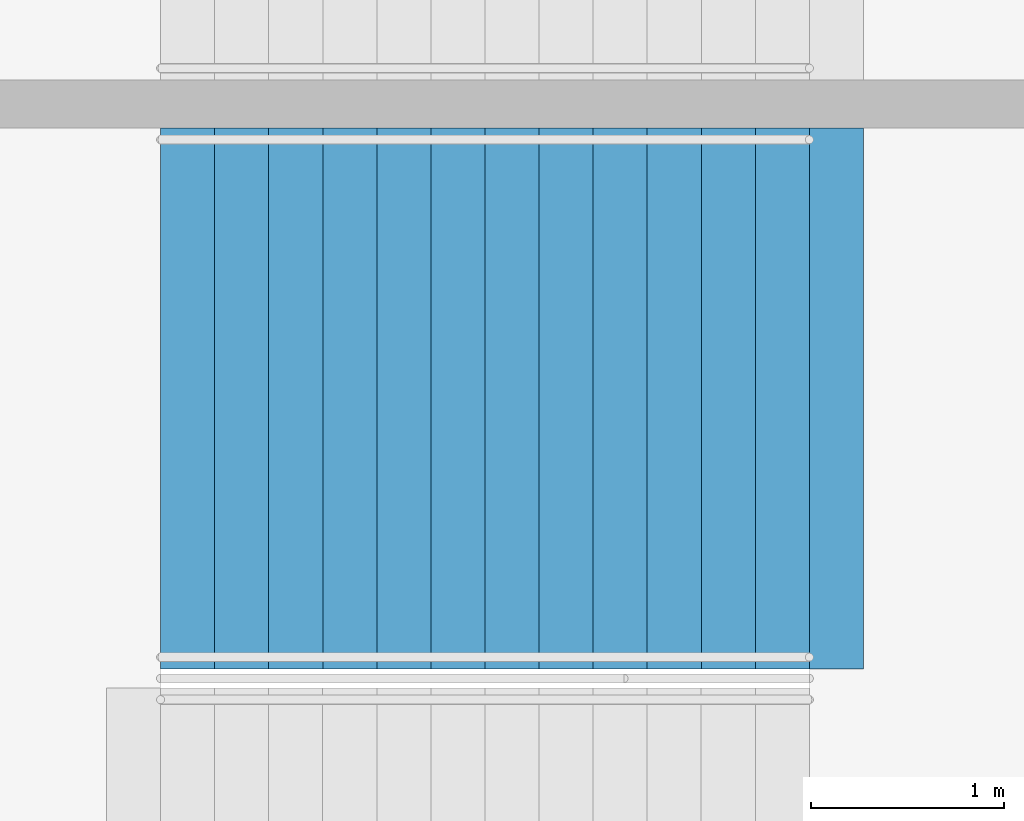
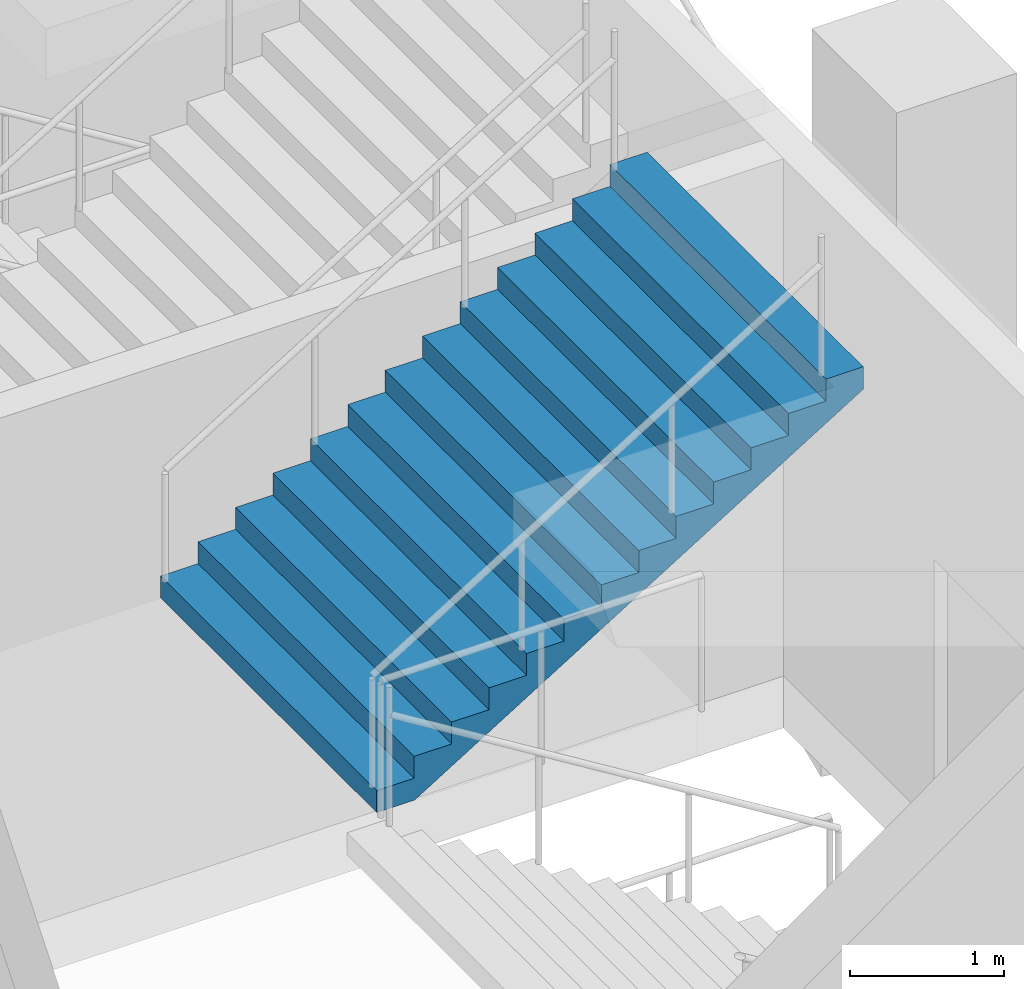
# One storey, part 133 of 177: 1 stair flight, 1 element without a shape of its own.
"""IFC4 building model written with IfcOpenShell, lengths in metres."""

import ifcopenshell
import ifcopenshell.guid

model = None  # the IFC model being written
_history = None  # IfcOwnerHistory: only IFC2X3 demands one
_inside = {}  # id of a spatial element -> (the spatial element, [elements in it])
_under = {}  # id of a project, library or spatial element -> (it, [spatial elements below it])
_declared = {}  # id of a project -> (the project, [libraries it declares])
_typed = {}  # id of a type object -> (the type object, [elements of that type])
_made_of = {}  # id of a material, layer set ... -> (it, [elements and type objects made of it])


def new_model(schema):
    """Start an empty IFC model of exactly this schema.

    Asked for "IFC4X3", IfcOpenShell would pick the latest addendum, in which some entities
    have other attributes; the version numbers below select the first issue.
    IFC2X3 requires an IfcOwnerHistory on every rooted entity: one is made here for all.
    """
    global model, _history
    if schema == "IFC4X3":
        model = ifcopenshell.file(schema_version=(4, 3, 0, 0))
    else:
        model = ifcopenshell.file(schema=schema)
    _inside.clear()
    _under.clear()
    _declared.clear()
    _typed.clear()
    _made_of.clear()
    _history = None
    if model.schema == "IFC2X3":
        org = make("IfcOrganization", Name="unknown")
        user = make(
            "IfcPersonAndOrganization",
            ThePerson=make("IfcPerson", FamilyName="unknown"),
            TheOrganization=org,
        )
        app = make(
            "IfcApplication",
            ApplicationDeveloper=org,
            Version="unknown",
            ApplicationFullName="unknown",
            ApplicationIdentifier="unknown",
        )
        _history = make(
            "IfcOwnerHistory",
            OwningUser=user,
            OwningApplication=app,
            ChangeAction="ADDED",
            CreationDate=0,
        )
    return model


def make(cls, **values):
    """One entity of the class cls with the attributes given. An attribute that is None is left unset."""
    return model.create_entity(
        cls, **{name: value for name, value in values.items() if value is not None}
    )


def rooted(cls, **values):
    """An entity with a GlobalId (a new one), such as an element, a storey or a relation."""
    return make(cls, GlobalId=ifcopenshell.guid.new(), OwnerHistory=_history, **values)


def si_unit(unit_type, name, prefix=None):
    """IfcSIUnit, for example si_unit("LENGTHUNIT", "METRE", prefix="MILLI")."""
    return make("IfcSIUnit", UnitType=unit_type, Prefix=prefix, Name=name)


def assignment(units):
    """IfcUnitAssignment: the units of a project."""
    return None if units is None else make("IfcUnitAssignment", Units=units)


def point(xyz):
    """IfcCartesianPoint."""
    return None if xyz is None else make("IfcCartesianPoint", Coordinates=xyz)


def direction(xyz):
    """IfcDirection."""
    return None if xyz is None else make("IfcDirection", DirectionRatios=xyz)


def frame(location, z_axis=None, x_axis=None):
    """IfcAxis2Placement3D, a coordinate frame: its origin and axes. An axis left out is left unset."""
    return make(
        "IfcAxis2Placement3D",
        Location=point(location),
        Axis=direction(z_axis),
        RefDirection=direction(x_axis),
    )


def origin():
    """The frame at (0, 0, 0) with its axes left unset."""
    return frame((0.0, 0.0, 0.0))


def place(relative_to, where):
    """IfcLocalPlacement: puts the frame where relative to a parent placement (None: the world)."""
    return make(
        "IfcLocalPlacement", PlacementRelTo=relative_to, RelativePlacement=where
    )


def context(
    kind, dimensions, precision=None, world=None, true_north=None, identifier=None
):
    """IfcGeometricRepresentationContext, for example the 3D "Model" context."""
    return make(
        "IfcGeometricRepresentationContext",
        ContextIdentifier=identifier,
        ContextType=kind,
        CoordinateSpaceDimension=dimensions,
        Precision=precision,
        WorldCoordinateSystem=world,
        TrueNorth=true_north,
    )


def subcontext(parent, identifier, kind, view, scale=None):
    """IfcGeometricRepresentationSubContext, for example "Body" below "Model"."""
    return make(
        "IfcGeometricRepresentationSubContext",
        ContextIdentifier=identifier,
        ContextType=kind,
        ParentContext=parent,
        TargetScale=scale,
        TargetView=view,
    )


def project(units=None, contexts=None):
    """IfcProject with its units and contexts."""
    return rooted(
        "IfcProject",
        Name="project",
        RepresentationContexts=contexts,
        UnitsInContext=assignment(units),
    )


def spatial(cls, under=None, at=None, **own):
    """A site, building, storey or space (cls), placed at a placement, below another one or the project."""
    s = rooted(cls, ObjectPlacement=at, **own)
    if under is not None:
        _under.setdefault(under.id(), (under, []))[1].append(s)
    return s


def faces_of(points, faces, orient=None, outer=None):
    """IfcFace entities. A face is a list of loops; a loop is a list of indices into points, from 0.

    orient and outer hold one flag for each loop. By default every Orientation is true, the
    first loop of a face is its IfcFaceOuterBound and the others are IfcFaceBound.
    """
    made = []
    for i, loops in enumerate(faces):
        bounds = []
        for j, loop in enumerate(loops):
            is_outer = j == 0 if outer is None else outer[i][j]
            bounds.append(
                make(
                    "IfcFaceOuterBound" if is_outer else "IfcFaceBound",
                    Bound=make("IfcPolyLoop", Polygon=[points[k] for k in loop]),
                    Orientation=True if orient is None else orient[i][j],
                )
            )
        made.append(make("IfcFace", Bounds=bounds))
    return made


def faceted_brep(points, faces, orient=None, outer=None, voids=None):
    """IfcFacetedBrep: a solid bounded by flat faces; with voids (closed shells), ...WithVoids."""
    shared = [point(p) for p in points]
    hull = make("IfcClosedShell", CfsFaces=faces_of(shared, faces, orient, outer))
    if voids is None:
        return make("IfcFacetedBrep", Outer=hull)
    return make(
        "IfcFacetedBrepWithVoids",
        Outer=hull,
        Voids=[
            make(cls, CfsFaces=faces_of(shared, fs, o, b)) for cls, fs, o, b in voids
        ],
    )


def shape(context_of_items, identifier, shape_type, items):
    """IfcShapeRepresentation: the items that make up one representation, for example the "Body"."""
    return make(
        "IfcShapeRepresentation",
        ContextOfItems=context_of_items,
        RepresentationIdentifier=identifier,
        RepresentationType=shape_type,
        Items=items,
    )


def material(Name=None, Category=None):
    """IfcMaterial."""
    return make("IfcMaterial", Name=Name, Category=Category)


def made_of(thing, what):
    """Note that an element or type object is made of a material, layer set ...; save() writes the relation."""
    if what is not None:
        _made_of.setdefault(what.id(), (what, []))[1].append(thing)
    return thing


def type_object(cls, material=None, **own):
    """A type object (cls), such as IfcWallType, which elements share."""
    return made_of(rooted(cls, **own), material)


def element(
    cls,
    number,
    at=None,
    inside=None,
    cuts=None,
    type_object=None,
    material=None,
    context=None,
    identifier="Body",
    shape_type=None,
    held_by="IfcProductDefinitionShape",
    body=None,
    shapes=None,
    **own,
):
    """One element of the class cls, such as IfcWall. Its Tag is "e" and its number.

    at: its placement. inside: the storey or other place that contains it. cuts: it is an
    opening in that element (IfcRelVoidsElement). A single representation is given by context,
    identifier, shape_type and body (its items); several are given by shapes. held_by: the class
    of the entity that holds the representations. save() writes the other relations.
    """
    e = rooted(cls, Tag="e%d" % number, ObjectPlacement=at, **own)
    if body is not None:
        shapes = [shape(context, identifier, shape_type, body)]
    if shapes is not None:
        e.Representation = make(held_by, Representations=shapes)
    if inside is not None:
        _inside.setdefault(inside.id(), (inside, []))[1].append(e)
    if cuts is not None:
        rooted(
            "IfcRelVoidsElement", RelatingBuildingElement=cuts, RelatedOpeningElement=e
        )
    if type_object is not None:
        _typed.setdefault(type_object.id(), (type_object, []))[1].append(e)
    return made_of(e, material)


def aggregate(whole, parts):
    """IfcRelAggregates: a whole, such as a stair, and the parts it consists of."""
    return rooted("IfcRelAggregates", RelatingObject=whole, RelatedObjects=parts)


def save(model, path):
    """Write the relations noted so far, then the file.

    IfcRelAggregates (storeys below a building ...), IfcRelContainedInSpatialStructure (elements
    in a storey), IfcRelDefinesByType, IfcRelAssociatesMaterial and IfcRelDeclares: one each for
    every whole, place, type object, material and project.
    """
    for whole, parts in _under.values():
        aggregate(whole, parts)
    for where, things in _inside.values():
        rooted(
            "IfcRelContainedInSpatialStructure",
            RelatedElements=things,
            RelatingStructure=where,
        )
    for kind, things in _typed.values():
        rooted("IfcRelDefinesByType", RelatedObjects=things, RelatingType=kind)
    for what, things in _made_of.values():
        rooted("IfcRelAssociatesMaterial", RelatedObjects=things, RelatingMaterial=what)
    for by, libraries in _declared.values():
        rooted("IfcRelDeclares", RelatingContext=by, RelatedDefinitions=libraries)
    model.write(path)


model = new_model("IFC4")

# Units and contexts
model_context = context("Model", 3, precision=1e-05, world=origin(), true_north=direction((0.0, 1.0)))
body_context = subcontext(model_context, "Body", "Model", "MODEL_VIEW")
ifc_project = project(units=[si_unit("LENGTHUNIT", "METRE"), si_unit("AREAUNIT", "SQUARE_METRE"), si_unit("VOLUMEUNIT", "CUBIC_METRE"), si_unit("PLANEANGLEUNIT", "RADIAN"), si_unit("MASSUNIT", "GRAM", prefix="KILO")], contexts=[model_context])

# Site, building, storey
site_placement = place(None, origin())
site = spatial("IfcSite", under=ifc_project, at=site_placement, CompositionType="ELEMENT")
building_placement = place(site_placement, origin())
building = spatial("IfcBuilding", under=site, at=building_placement, Name="Ogive Plaza Stadium", CompositionType="ELEMENT")
storey_placement = place(building_placement, frame((0.0, 0.0, 18.0)))
storey = spatial("IfcBuildingStorey", under=building, at=storey_placement, Name="L04", CompositionType="ELEMENT", Elevation=18.0)

# Stair, stair flight
ifc_material_1 = material(Name="Concrete C40/50", Category="concrete")
stair_type = type_object("IfcStairType", Name="Exit stair", PredefinedType="STRAIGHT_RUN_STAIR", material=ifc_material_1)
stair_placement = place(storey_placement, origin())
stair = element("IfcStair", 1, at=stair_placement, inside=storey, type_object=stair_type, Name="Exit stair ST28B L04 to L05", PredefinedType="STRAIGHT_RUN_STAIR")
ifc_material_2 = material(Name="Concrete C40/50", Category="concrete")
stair_flight_type = type_object("IfcStairFlightType", Name="Exit stair flight", PredefinedType="STRAIGHT", material=ifc_material_2)
stair_flight_placement = place(storey_placement, frame((-79.7099609375, 50.97509765625, 2.25), z_axis=(0.0, 0.0, 1.0), x_axis=(1.0, 0.0, 0.0)))
stair_flight = element("IfcStairFlight", 2, at=stair_flight_placement, type_object=stair_flight_type, Name="ST28B flight 2", NumberOfRisers=13, NumberOfTreads=12, PredefinedType="STRAIGHT", RiserHeight=0.173076923, TreadLength=0.28, context=body_context, shape_type="Brep", body=[
    faceted_brep([(0.28515625, -1.39990234375, 0.0), (3.639892578125, -1.39990234375, 2.07373046875), (3.639892578125, -1.39990234375, 2.25), (3.360107421875, -1.39990234375, 2.25), (3.360107421875, -1.39990234375, 2.076904296875), (3.080078125, -1.39990234375, 2.076904296875), (3.080078125, -1.39990234375, 1.90380859375), (2.800048828125, -1.39990234375, 1.90380859375), (2.800048828125, -1.39990234375, 1.730712890625), (2.52001953125, -1.39990234375, 1.730712890625), (2.52001953125, -1.39990234375, 1.5576171875), (2.239990234375, -1.39990234375, 1.5576171875), (2.239990234375, -1.39990234375, 1.384521484375), (1.9599609375, -1.39990234375, 1.384521484375), (1.9599609375, -1.39990234375, 1.21142578125), (1.679931640625, -1.39990234375, 1.21142578125), (1.679931640625, -1.39990234375, 1.03857421875), (1.39990234375, -1.39990234375, 1.03857421875), (1.39990234375, -1.39990234375, 0.865478515625), (1.1201171875, -1.39990234375, 0.865478515625), (1.1201171875, -1.39990234375, 0.6923828125), (0.840087890625, -1.39990234375, 0.6923828125), (0.840087890625, -1.39990234375, 0.519287109375), (0.56005859375, -1.39990234375, 0.519287109375), (0.56005859375, -1.39990234375, 0.34619140625), (0.280029296875, -1.39990234375, 0.34619140625), (0.280029296875, -1.39990234375, 0.173095703125), (0.0, -1.39990234375, 0.173095703125), (0.0, -1.39990234375, 0.0), (0.0, 1.39990234375, 0.0), (0.0, 1.39990234375, 0.173095703125), (0.280029296875, 1.39990234375, 0.173095703125), (0.280029296875, 1.39990234375, 0.34619140625), (0.56005859375, 1.39990234375, 0.34619140625), (0.56005859375, 1.39990234375, 0.519287109375), (0.840087890625, 1.39990234375, 0.519287109375), (0.840087890625, 1.39990234375, 0.6923828125), (1.1201171875, 1.39990234375, 0.6923828125), (1.1201171875, 1.39990234375, 0.865478515625), (1.39990234375, 1.39990234375, 0.865478515625), (1.39990234375, 1.39990234375, 1.03857421875), (1.679931640625, 1.39990234375, 1.03857421875), (1.679931640625, 1.39990234375, 1.21142578125), (1.9599609375, 1.39990234375, 1.21142578125), (1.9599609375, 1.39990234375, 1.384521484375), (2.239990234375, 1.39990234375, 1.384521484375), (2.239990234375, 1.39990234375, 1.5576171875), (2.52001953125, 1.39990234375, 1.5576171875), (2.52001953125, 1.39990234375, 1.730712890625), (2.800048828125, 1.39990234375, 1.730712890625), (2.800048828125, 1.39990234375, 1.90380859375), (3.080078125, 1.39990234375, 1.90380859375), (3.080078125, 1.39990234375, 2.076904296875), (3.360107421875, 1.39990234375, 2.076904296875), (3.360107421875, 1.39990234375, 2.25), (3.639892578125, 1.39990234375, 2.25), (3.639892578125, 1.39990234375, 2.07373046875), (0.28515625, 1.39990234375, 0.0), (0.28515625, -1.0888671875, 0.0), (3.639892578125, -1.0888671875, 2.07373046875), (0.28515625, -0.77783203125, 0.0), (3.639892578125, -0.77783203125, 2.07373046875), (0.28515625, -0.466796875, 0.0), (3.639892578125, -0.466796875, 2.07373046875), (0.28515625, -0.155517578125, 0.0), (3.639892578125, -0.155517578125, 2.07373046875), (0.28515625, 0.155517578125, 0.0), (3.639892578125, 0.155517578125, 2.07373046875), (0.28515625, 0.466796875, 0.0), (3.639892578125, 0.466796875, 2.07373046875), (0.28515625, 0.77783203125, 0.0), (3.639892578125, 0.77783203125, 2.07373046875), (0.28515625, 1.0888671875, 0.0), (3.639892578125, 1.0888671875, 2.07373046875), (3.639892578125, -1.0888671875, 2.25), (3.639892578125, -0.77783203125, 2.25), (3.639892578125, -0.466796875, 2.25), (3.639892578125, -0.155517578125, 2.25), (3.639892578125, 0.155517578125, 2.25), (3.639892578125, 0.466796875, 2.25), (3.639892578125, 0.77783203125, 2.25), (3.639892578125, 1.0888671875, 2.25), (3.360107421875, -1.0888671875, 2.25), (3.360107421875, -0.77783203125, 2.25), (3.360107421875, -0.466796875, 2.25), (3.360107421875, -0.155517578125, 2.25), (3.360107421875, 0.155517578125, 2.25), (3.360107421875, 0.466796875, 2.25), (3.360107421875, 0.77783203125, 2.25), (3.360107421875, 1.0888671875, 2.25), (3.360107421875, -1.0888671875, 2.076904296875), (3.360107421875, -0.77783203125, 2.076904296875), (3.360107421875, -0.466796875, 2.076904296875), (3.360107421875, -0.155517578125, 2.076904296875), (3.360107421875, 0.155517578125, 2.076904296875), (3.360107421875, 0.466796875, 2.076904296875), (3.360107421875, 0.77783203125, 2.076904296875), (3.360107421875, 1.0888671875, 2.076904296875), (3.080078125, -1.0888671875, 2.076904296875), (3.080078125, -0.77783203125, 2.076904296875), (3.080078125, -0.466796875, 2.076904296875), (3.080078125, -0.155517578125, 2.076904296875), (3.080078125, 0.155517578125, 2.076904296875), (3.080078125, 0.466796875, 2.076904296875), (3.080078125, 0.77783203125, 2.076904296875), (3.080078125, 1.0888671875, 2.076904296875), (3.080078125, -1.0888671875, 1.90380859375), (3.080078125, -0.77783203125, 1.90380859375), (3.080078125, -0.466796875, 1.90380859375), (3.080078125, -0.155517578125, 1.90380859375), (3.080078125, 0.155517578125, 1.90380859375), (3.080078125, 0.466796875, 1.90380859375), (3.080078125, 0.77783203125, 1.90380859375), (3.080078125, 1.0888671875, 1.90380859375), (2.800048828125, -1.0888671875, 1.90380859375), (2.800048828125, -0.77783203125, 1.90380859375), (2.800048828125, -0.466796875, 1.90380859375), (2.800048828125, -0.155517578125, 1.90380859375), (2.800048828125, 0.155517578125, 1.90380859375), (2.800048828125, 0.466796875, 1.90380859375), (2.800048828125, 0.77783203125, 1.90380859375), (2.800048828125, 1.0888671875, 1.90380859375), (2.800048828125, -1.0888671875, 1.730712890625), (2.800048828125, -0.77783203125, 1.730712890625), (2.800048828125, -0.466796875, 1.730712890625), (2.800048828125, -0.155517578125, 1.730712890625), (2.800048828125, 0.155517578125, 1.730712890625), (2.800048828125, 0.466796875, 1.730712890625), (2.800048828125, 0.77783203125, 1.730712890625), (2.800048828125, 1.0888671875, 1.730712890625), (2.52001953125, -1.0888671875, 1.730712890625), (2.52001953125, -0.77783203125, 1.730712890625), (2.52001953125, -0.466796875, 1.730712890625), (2.52001953125, -0.155517578125, 1.730712890625), (2.52001953125, 0.155517578125, 1.730712890625), (2.52001953125, 0.466796875, 1.730712890625), (2.52001953125, 0.77783203125, 1.730712890625), (2.52001953125, 1.0888671875, 1.730712890625), (2.52001953125, -1.0888671875, 1.5576171875), (2.52001953125, -0.77783203125, 1.5576171875), (2.52001953125, -0.466796875, 1.5576171875), (2.52001953125, -0.155517578125, 1.5576171875), (2.52001953125, 0.155517578125, 1.5576171875), (2.52001953125, 0.466796875, 1.5576171875), (2.52001953125, 0.77783203125, 1.5576171875), (2.52001953125, 1.0888671875, 1.5576171875), (2.239990234375, -1.0888671875, 1.5576171875), (2.239990234375, -0.77783203125, 1.5576171875), (2.239990234375, -0.466796875, 1.5576171875), (2.239990234375, -0.155517578125, 1.5576171875), (2.239990234375, 0.155517578125, 1.5576171875), (2.239990234375, 0.466796875, 1.5576171875), (2.239990234375, 0.77783203125, 1.5576171875), (2.239990234375, 1.0888671875, 1.5576171875), (2.239990234375, -1.0888671875, 1.384521484375), (2.239990234375, -0.77783203125, 1.384521484375), (2.239990234375, -0.466796875, 1.384521484375), (2.239990234375, -0.155517578125, 1.384521484375), (2.239990234375, 0.155517578125, 1.384521484375), (2.239990234375, 0.466796875, 1.384521484375), (2.239990234375, 0.77783203125, 1.384521484375), (2.239990234375, 1.0888671875, 1.384521484375), (1.9599609375, -1.0888671875, 1.384521484375), (1.9599609375, -0.77783203125, 1.384521484375), (1.9599609375, -0.466796875, 1.384521484375), (1.9599609375, -0.155517578125, 1.384521484375), (1.9599609375, 0.155517578125, 1.384521484375), (1.9599609375, 0.466796875, 1.384521484375), (1.9599609375, 0.77783203125, 1.384521484375), (1.9599609375, 1.0888671875, 1.384521484375), (1.9599609375, -1.0888671875, 1.21142578125), (1.9599609375, -0.77783203125, 1.21142578125), (1.9599609375, -0.466796875, 1.21142578125), (1.9599609375, -0.155517578125, 1.21142578125), (1.9599609375, 0.155517578125, 1.21142578125), (1.9599609375, 0.466796875, 1.21142578125), (1.9599609375, 0.77783203125, 1.21142578125), (1.9599609375, 1.0888671875, 1.21142578125), (1.679931640625, -1.0888671875, 1.21142578125), (1.679931640625, -0.77783203125, 1.21142578125), (1.679931640625, -0.466796875, 1.21142578125), (1.679931640625, -0.155517578125, 1.21142578125), (1.679931640625, 0.155517578125, 1.21142578125), (1.679931640625, 0.466796875, 1.21142578125), (1.679931640625, 0.77783203125, 1.21142578125), (1.679931640625, 1.0888671875, 1.21142578125), (1.679931640625, -1.0888671875, 1.03857421875), (1.679931640625, -0.77783203125, 1.03857421875), (1.679931640625, -0.466796875, 1.03857421875), (1.679931640625, -0.155517578125, 1.03857421875), (1.679931640625, 0.155517578125, 1.03857421875), (1.679931640625, 0.466796875, 1.03857421875), (1.679931640625, 0.77783203125, 1.03857421875), (1.679931640625, 1.0888671875, 1.03857421875), (1.39990234375, -1.0888671875, 1.03857421875), (1.39990234375, -0.77783203125, 1.03857421875), (1.39990234375, -0.466796875, 1.03857421875), (1.39990234375, -0.155517578125, 1.03857421875), (1.39990234375, 0.155517578125, 1.03857421875), (1.39990234375, 0.466796875, 1.03857421875), (1.39990234375, 0.77783203125, 1.03857421875), (1.39990234375, 1.0888671875, 1.03857421875), (1.39990234375, -1.0888671875, 0.865478515625), (1.39990234375, -0.77783203125, 0.865478515625), (1.39990234375, -0.466796875, 0.865478515625), (1.39990234375, -0.155517578125, 0.865478515625), (1.39990234375, 0.155517578125, 0.865478515625), (1.39990234375, 0.466796875, 0.865478515625), (1.39990234375, 0.77783203125, 0.865478515625), (1.39990234375, 1.0888671875, 0.865478515625), (1.1201171875, -1.0888671875, 0.865478515625), (1.1201171875, -0.77783203125, 0.865478515625), (1.1201171875, -0.466796875, 0.865478515625), (1.1201171875, -0.155517578125, 0.865478515625), (1.1201171875, 0.155517578125, 0.865478515625), (1.1201171875, 0.466796875, 0.865478515625), (1.1201171875, 0.77783203125, 0.865478515625), (1.1201171875, 1.0888671875, 0.865478515625), (1.1201171875, -1.0888671875, 0.6923828125), (1.1201171875, -0.77783203125, 0.6923828125), (1.1201171875, -0.466796875, 0.6923828125), (1.1201171875, -0.155517578125, 0.6923828125), (1.1201171875, 0.155517578125, 0.6923828125), (1.1201171875, 0.466796875, 0.6923828125), (1.1201171875, 0.77783203125, 0.6923828125), (1.1201171875, 1.0888671875, 0.6923828125), (0.840087890625, -1.0888671875, 0.6923828125), (0.840087890625, -0.77783203125, 0.6923828125), (0.840087890625, -0.466796875, 0.6923828125), (0.840087890625, -0.155517578125, 0.6923828125), (0.840087890625, 0.155517578125, 0.6923828125), (0.840087890625, 0.466796875, 0.6923828125), (0.840087890625, 0.77783203125, 0.6923828125), (0.840087890625, 1.0888671875, 0.6923828125), (0.840087890625, -1.0888671875, 0.519287109375), (0.840087890625, -0.77783203125, 0.519287109375), (0.840087890625, -0.466796875, 0.519287109375), (0.840087890625, -0.155517578125, 0.519287109375), (0.840087890625, 0.155517578125, 0.519287109375), (0.840087890625, 0.466796875, 0.519287109375), (0.840087890625, 0.77783203125, 0.519287109375), (0.840087890625, 1.0888671875, 0.519287109375), (0.56005859375, -1.0888671875, 0.519287109375), (0.56005859375, -0.77783203125, 0.519287109375), (0.56005859375, -0.466796875, 0.519287109375), (0.56005859375, -0.155517578125, 0.519287109375), (0.56005859375, 0.155517578125, 0.519287109375), (0.56005859375, 0.466796875, 0.519287109375), (0.56005859375, 0.77783203125, 0.519287109375), (0.56005859375, 1.0888671875, 0.519287109375), (0.56005859375, -1.0888671875, 0.34619140625), (0.56005859375, -0.77783203125, 0.34619140625), (0.56005859375, -0.466796875, 0.34619140625), (0.56005859375, -0.155517578125, 0.34619140625), (0.56005859375, 0.155517578125, 0.34619140625), (0.56005859375, 0.466796875, 0.34619140625), (0.56005859375, 0.77783203125, 0.34619140625), (0.56005859375, 1.0888671875, 0.34619140625), (0.280029296875, -1.0888671875, 0.34619140625), (0.280029296875, -0.77783203125, 0.34619140625), (0.280029296875, -0.466796875, 0.34619140625), (0.280029296875, -0.155517578125, 0.34619140625), (0.280029296875, 0.155517578125, 0.34619140625), (0.280029296875, 0.466796875, 0.34619140625), (0.280029296875, 0.77783203125, 0.34619140625), (0.280029296875, 1.0888671875, 0.34619140625), (0.280029296875, -1.0888671875, 0.173095703125), (0.280029296875, -0.77783203125, 0.173095703125), (0.280029296875, -0.466796875, 0.173095703125), (0.280029296875, -0.155517578125, 0.173095703125), (0.280029296875, 0.155517578125, 0.173095703125), (0.280029296875, 0.466796875, 0.173095703125), (0.280029296875, 0.77783203125, 0.173095703125), (0.280029296875, 1.0888671875, 0.173095703125), (0.0, -1.0888671875, 0.173095703125), (0.0, -0.77783203125, 0.173095703125), (0.0, -0.466796875, 0.173095703125), (0.0, -0.155517578125, 0.173095703125), (0.0, 0.155517578125, 0.173095703125), (0.0, 0.466796875, 0.173095703125), (0.0, 0.77783203125, 0.173095703125), (0.0, 1.0888671875, 0.173095703125), (0.0, -1.0888671875, 0.0), (0.0, -0.77783203125, 0.0), (0.0, -0.466796875, 0.0), (0.0, -0.155517578125, 0.0), (0.0, 0.155517578125, 0.0), (0.0, 0.466796875, 0.0), (0.0, 0.77783203125, 0.0), (0.0, 1.0888671875, 0.0)], [[[0, 1, 2, 3, 4, 5, 6, 7, 8, 9, 10, 11, 12, 13, 14, 15, 16, 17, 18, 19, 20, 21, 22, 23, 24, 25, 26, 27, 28]], [[29, 30, 31, 32, 33, 34, 35, 36, 37, 38, 39, 40, 41, 42, 43, 44, 45, 46, 47, 48, 49, 50, 51, 52, 53, 54, 55, 56, 57]], [[0, 58, 59, 1]], [[58, 60, 61, 59]], [[60, 62, 63, 61]], [[62, 64, 65, 63]], [[64, 66, 67, 65]], [[66, 68, 69, 67]], [[68, 70, 71, 69]], [[70, 72, 73, 71]], [[72, 57, 56, 73]], [[1, 59, 74, 2]], [[59, 61, 75, 74]], [[61, 63, 76, 75]], [[63, 65, 77, 76]], [[65, 67, 78, 77]], [[67, 69, 79, 78]], [[69, 71, 80, 79]], [[71, 73, 81, 80]], [[73, 56, 55, 81]], [[2, 74, 82, 3]], [[74, 75, 83, 82]], [[75, 76, 84, 83]], [[76, 77, 85, 84]], [[77, 78, 86, 85]], [[78, 79, 87, 86]], [[79, 80, 88, 87]], [[80, 81, 89, 88]], [[81, 55, 54, 89]], [[3, 82, 90, 4]], [[82, 83, 91, 90]], [[83, 84, 92, 91]], [[84, 85, 93, 92]], [[85, 86, 94, 93]], [[86, 87, 95, 94]], [[87, 88, 96, 95]], [[88, 89, 97, 96]], [[89, 54, 53, 97]], [[4, 90, 98, 5]], [[90, 91, 99, 98]], [[91, 92, 100, 99]], [[92, 93, 101, 100]], [[93, 94, 102, 101]], [[94, 95, 103, 102]], [[95, 96, 104, 103]], [[96, 97, 105, 104]], [[97, 53, 52, 105]], [[5, 98, 106, 6]], [[98, 99, 107, 106]], [[99, 100, 108, 107]], [[100, 101, 109, 108]], [[101, 102, 110, 109]], [[102, 103, 111, 110]], [[103, 104, 112, 111]], [[104, 105, 113, 112]], [[105, 52, 51, 113]], [[6, 106, 114, 7]], [[106, 107, 115, 114]], [[107, 108, 116, 115]], [[108, 109, 117, 116]], [[109, 110, 118, 117]], [[110, 111, 119, 118]], [[111, 112, 120, 119]], [[112, 113, 121, 120]], [[113, 51, 50, 121]], [[7, 114, 122, 8]], [[114, 115, 123, 122]], [[115, 116, 124, 123]], [[116, 117, 125, 124]], [[117, 118, 126, 125]], [[118, 119, 127, 126]], [[119, 120, 128, 127]], [[120, 121, 129, 128]], [[121, 50, 49, 129]], [[8, 122, 130, 9]], [[122, 123, 131, 130]], [[123, 124, 132, 131]], [[124, 125, 133, 132]], [[125, 126, 134, 133]], [[126, 127, 135, 134]], [[127, 128, 136, 135]], [[128, 129, 137, 136]], [[129, 49, 48, 137]], [[9, 130, 138, 10]], [[130, 131, 139, 138]], [[131, 132, 140, 139]], [[132, 133, 141, 140]], [[133, 134, 142, 141]], [[134, 135, 143, 142]], [[135, 136, 144, 143]], [[136, 137, 145, 144]], [[137, 48, 47, 145]], [[10, 138, 146, 11]], [[138, 139, 147, 146]], [[139, 140, 148, 147]], [[140, 141, 149, 148]], [[141, 142, 150, 149]], [[142, 143, 151, 150]], [[143, 144, 152, 151]], [[144, 145, 153, 152]], [[145, 47, 46, 153]], [[11, 146, 154, 12]], [[146, 147, 155, 154]], [[147, 148, 156, 155]], [[148, 149, 157, 156]], [[149, 150, 158, 157]], [[150, 151, 159, 158]], [[151, 152, 160, 159]], [[152, 153, 161, 160]], [[153, 46, 45, 161]], [[12, 154, 162, 13]], [[154, 155, 163, 162]], [[155, 156, 164, 163]], [[156, 157, 165, 164]], [[157, 158, 166, 165]], [[158, 159, 167, 166]], [[159, 160, 168, 167]], [[160, 161, 169, 168]], [[161, 45, 44, 169]], [[13, 162, 170, 14]], [[162, 163, 171, 170]], [[163, 164, 172, 171]], [[164, 165, 173, 172]], [[165, 166, 174, 173]], [[166, 167, 175, 174]], [[167, 168, 176, 175]], [[168, 169, 177, 176]], [[169, 44, 43, 177]], [[14, 170, 178, 15]], [[170, 171, 179, 178]], [[171, 172, 180, 179]], [[172, 173, 181, 180]], [[173, 174, 182, 181]], [[174, 175, 183, 182]], [[175, 176, 184, 183]], [[176, 177, 185, 184]], [[177, 43, 42, 185]], [[15, 178, 186, 16]], [[178, 179, 187, 186]], [[179, 180, 188, 187]], [[180, 181, 189, 188]], [[181, 182, 190, 189]], [[182, 183, 191, 190]], [[183, 184, 192, 191]], [[184, 185, 193, 192]], [[185, 42, 41, 193]], [[16, 186, 194, 17]], [[186, 187, 195, 194]], [[187, 188, 196, 195]], [[188, 189, 197, 196]], [[189, 190, 198, 197]], [[190, 191, 199, 198]], [[191, 192, 200, 199]], [[192, 193, 201, 200]], [[193, 41, 40, 201]], [[17, 194, 202, 18]], [[194, 195, 203, 202]], [[195, 196, 204, 203]], [[196, 197, 205, 204]], [[197, 198, 206, 205]], [[198, 199, 207, 206]], [[199, 200, 208, 207]], [[200, 201, 209, 208]], [[201, 40, 39, 209]], [[18, 202, 210, 19]], [[202, 203, 211, 210]], [[203, 204, 212, 211]], [[204, 205, 213, 212]], [[205, 206, 214, 213]], [[206, 207, 215, 214]], [[207, 208, 216, 215]], [[208, 209, 217, 216]], [[209, 39, 38, 217]], [[19, 210, 218, 20]], [[210, 211, 219, 218]], [[211, 212, 220, 219]], [[212, 213, 221, 220]], [[213, 214, 222, 221]], [[214, 215, 223, 222]], [[215, 216, 224, 223]], [[216, 217, 225, 224]], [[217, 38, 37, 225]], [[20, 218, 226, 21]], [[218, 219, 227, 226]], [[219, 220, 228, 227]], [[220, 221, 229, 228]], [[221, 222, 230, 229]], [[222, 223, 231, 230]], [[223, 224, 232, 231]], [[224, 225, 233, 232]], [[225, 37, 36, 233]], [[21, 226, 234, 22]], [[226, 227, 235, 234]], [[227, 228, 236, 235]], [[228, 229, 237, 236]], [[229, 230, 238, 237]], [[230, 231, 239, 238]], [[231, 232, 240, 239]], [[232, 233, 241, 240]], [[233, 36, 35, 241]], [[22, 234, 242, 23]], [[234, 235, 243, 242]], [[235, 236, 244, 243]], [[236, 237, 245, 244]], [[237, 238, 246, 245]], [[238, 239, 247, 246]], [[239, 240, 248, 247]], [[240, 241, 249, 248]], [[241, 35, 34, 249]], [[23, 242, 250, 24]], [[242, 243, 251, 250]], [[243, 244, 252, 251]], [[244, 245, 253, 252]], [[245, 246, 254, 253]], [[246, 247, 255, 254]], [[247, 248, 256, 255]], [[248, 249, 257, 256]], [[249, 34, 33, 257]], [[24, 250, 258, 25]], [[250, 251, 259, 258]], [[251, 252, 260, 259]], [[252, 253, 261, 260]], [[253, 254, 262, 261]], [[254, 255, 263, 262]], [[255, 256, 264, 263]], [[256, 257, 265, 264]], [[257, 33, 32, 265]], [[25, 258, 266, 26]], [[258, 259, 267, 266]], [[259, 260, 268, 267]], [[260, 261, 269, 268]], [[261, 262, 270, 269]], [[262, 263, 271, 270]], [[263, 264, 272, 271]], [[264, 265, 273, 272]], [[265, 32, 31, 273]], [[26, 266, 274, 27]], [[266, 267, 275, 274]], [[267, 268, 276, 275]], [[268, 269, 277, 276]], [[269, 270, 278, 277]], [[270, 271, 279, 278]], [[271, 272, 280, 279]], [[272, 273, 281, 280]], [[273, 31, 30, 281]], [[27, 274, 282, 28]], [[274, 275, 283, 282]], [[275, 276, 284, 283]], [[276, 277, 285, 284]], [[277, 278, 286, 285]], [[278, 279, 287, 286]], [[279, 280, 288, 287]], [[280, 281, 289, 288]], [[281, 30, 29, 289]], [[28, 282, 58, 0]], [[282, 283, 60, 58]], [[283, 284, 62, 60]], [[284, 285, 64, 62]], [[285, 286, 66, 64]], [[286, 287, 68, 66]], [[287, 288, 70, 68]], [[288, 289, 72, 70]], [[289, 29, 57, 72]]]),
])
aggregate(stair, [stair_flight])

save(model, "model.ifc")
